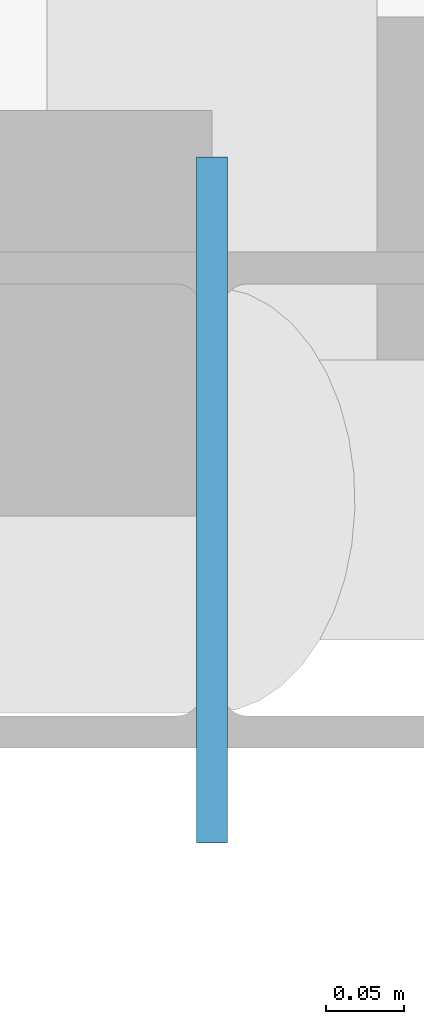
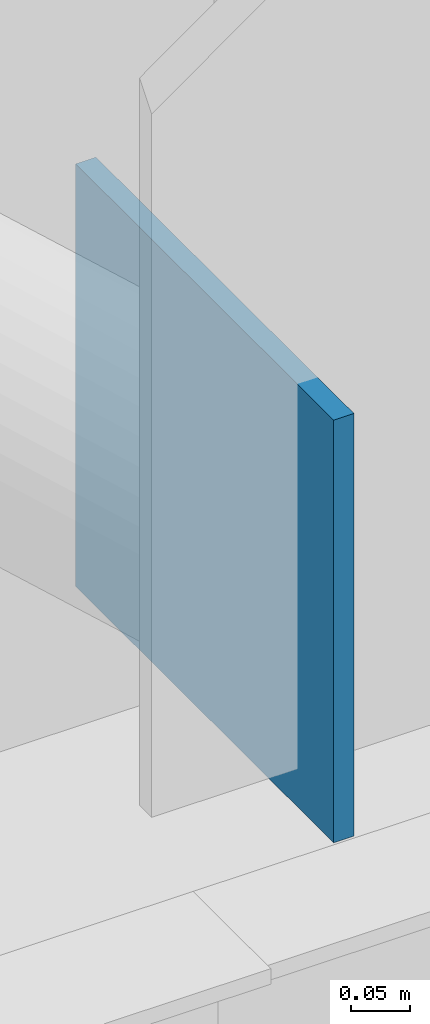
# One storey, part 72 of 99: 1 plate.
"""IFC4 building model written with IfcOpenShell, lengths in metres."""

from ifc_helpers import new_model, si_unit, direction, frame, origin, origin_2d, place, context, subcontext, project, spatial, rectangle, extrude, material, layer, layer_set, type_object, element, save


model = new_model("IFC4")

# Units and contexts
model_context = context("Model", 3, precision=1e-05, world=origin(), true_north=direction((0.0, 1.0)))
body_context = subcontext(model_context, "Body", "Model", "MODEL_VIEW")
ifc_project = project(units=[si_unit("LENGTHUNIT", "METRE"), si_unit("AREAUNIT", "SQUARE_METRE"), si_unit("VOLUMEUNIT", "CUBIC_METRE"), si_unit("PLANEANGLEUNIT", "RADIAN"), si_unit("MASSUNIT", "GRAM", prefix="KILO")], contexts=[model_context])

# Site, building, storey
site_placement = place(None, origin())
site = spatial("IfcSite", under=ifc_project, at=site_placement, CompositionType="ELEMENT")
building_placement = place(site_placement, origin())
building = spatial("IfcBuilding", under=site, at=building_placement, Name="Qelthora Terrace Specialist Clinic", CompositionType="ELEMENT")
storey_placement = place(building_placement, frame((0.0, 0.0, 9.0)))
storey = spatial("IfcBuildingStorey", under=building, at=storey_placement, Name="L02", CompositionType="ELEMENT", Elevation=9.0)

# Plate
ifc_material = material(Name="Steel S355", Category="steel")
ifc_layer = layer(ifc_material, 0.02001953125)
ifc_layer_set = layer_set([ifc_layer], Name="Steel S355")
plate_type = type_object("IfcPlateType", Name="PLT-GUS-480X480X20", PredefinedType="USERDEFINED", material=ifc_layer_set)
plate_placement = place(storey_placement, frame((100.800048828125, 33.60009765625, -0.0400390625), z_axis=(0.0, 0.0, 1.0), x_axis=(1.0, 0.0, 0.0)))
element("IfcPlate", 1, at=plate_placement, inside=storey, type_object=plate_type, Name="Steel truss node plate GPLT-0211", ObjectType="GUSSET PLATE", PredefinedType="USERDEFINED", context=body_context, shape_type="SweptSolid", body=[
    extrude(rectangle(XDim=0.02001953125, YDim=0.43994140625, at=origin_2d()), origin(), (0.0, 0.0, 1.0), 0.43994140625),
])

save(model, "model.ifc")
